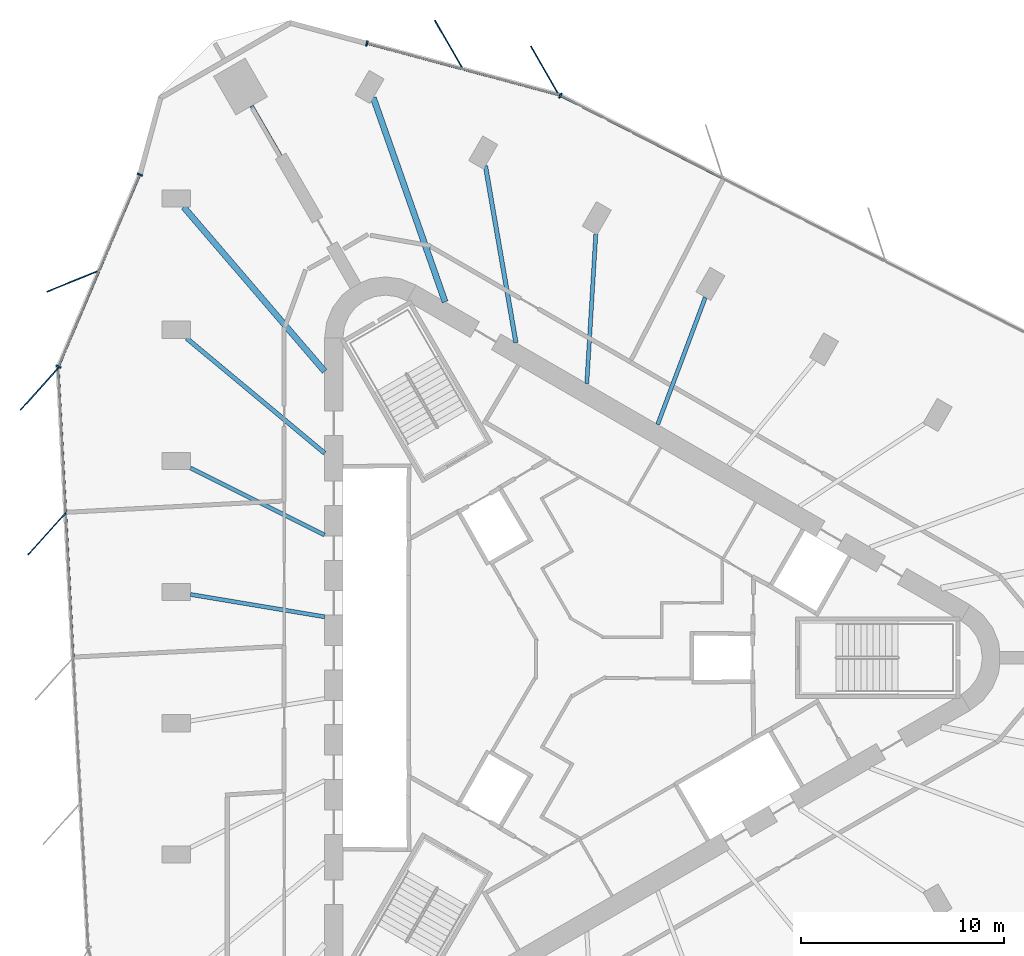
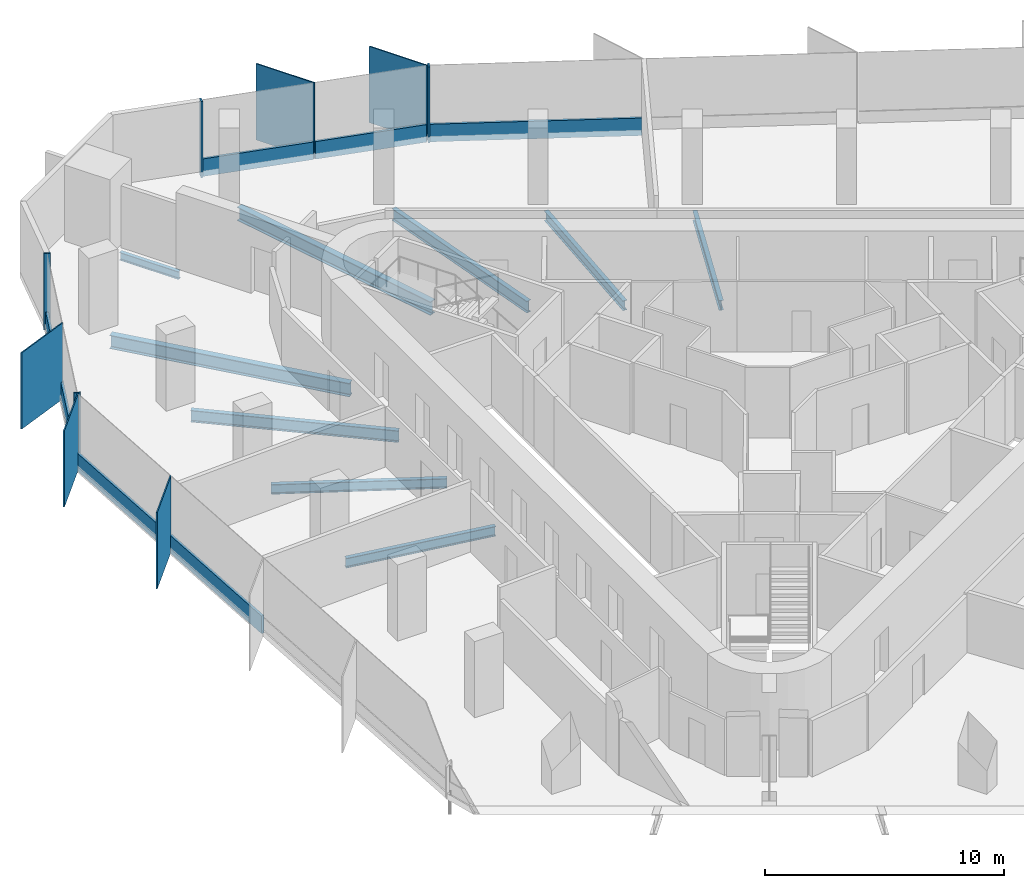
# One storey, part 4 of 12: 16 members, 9 beams, 4 elements without a shape of their own.
"""IFC4 building model written with IfcOpenShell, lengths in metres."""

from ifc_helpers import new_model, si_unit, direction, frame, origin, origin_2d, place, context, subcontext, project, spatial, rectangle, i_section, extrude, material, material_profile, profile_set, type_object, element, aggregate, save


model = new_model("IFC4")

# Units and contexts
model_context = context("Model", 3, precision=1e-05, world=origin(), true_north=direction((0.0, 1.0)))
body_context = subcontext(model_context, "Body", "Model", "MODEL_VIEW")
ifc_project = project(units=[si_unit("LENGTHUNIT", "METRE"), si_unit("AREAUNIT", "SQUARE_METRE"), si_unit("VOLUMEUNIT", "CUBIC_METRE"), si_unit("PLANEANGLEUNIT", "RADIAN"), si_unit("MASSUNIT", "GRAM", prefix="KILO")], contexts=[model_context])

# Site, building, storey
site_placement = place(None, origin())
site = spatial("IfcSite", under=ifc_project, at=site_placement, CompositionType="ELEMENT")
building_placement = place(site_placement, origin())
building = spatial("IfcBuilding", under=site, at=building_placement, Name="Tanit Gate Tower", CompositionType="ELEMENT")
storey_placement = place(building_placement, frame((0.0, 0.0, 365.0)))
storey = spatial("IfcBuildingStorey", under=building, at=storey_placement, Name="L83", CompositionType="ELEMENT", Elevation=365.0)

# Curtain wall, members
ifc_material_1 = material(Name="Aluminium bronze anodised and glass", Category="aluminium")
curtain_wall_type = type_object("IfcCurtainWallType", Name="Curtain wall typical high", PredefinedType="NOTDEFINED", material=ifc_material_1)
curtain_wall_1_placement = place(storey_placement, origin())
curtain_wall_1 = element("IfcCurtainWall", 1, at=curtain_wall_1_placement, inside=storey, type_object=curtain_wall_type, Name="Curtain wall L83 NE3", PredefinedType="NOTDEFINED")
ifc_material_2 = material(Name="Aluminium bronze anodised", Category="aluminium")
ifc_material_profile_1 = material_profile(ifc_material_2, rectangle(XDim=2.800048828125, YDim=0.055908203125, at=origin_2d()), Name="56x2800 bronze fin mullion")
ifc_profile_set_1 = profile_set([ifc_material_profile_1], Name="Aluminium bronze anodised")
member_type_1 = type_object("IfcMemberType", Name="FIN MULLION 56x2800 bronze", PredefinedType="MULLION", material=ifc_profile_set_1)
member_1_placement = place(storey_placement, frame((-1.247802734375, 28.92138671875, -0.300048828125), z_axis=(0.0, 0.0, 1.0), x_axis=(0.499728283218, -0.866182222718, 0.0)))
member_1 = element("IfcMember", 2, at=member_1_placement, type_object=member_type_1, Name="Fin mullion L83 NE3.1", PredefinedType="MULLION", context=body_context, shape_type="SweptSolid", body=[
    extrude(rectangle(XDim=2.800048828125, YDim=0.055908203125, at=origin_2d()), origin(), (0.0, 0.0, 1.0), 3.900146484375),
])
member_2_placement = place(storey_placement, frame((-5.977783203125, 30.1904296875, -0.300048828125), z_axis=(0.0, 0.0, 1.0), x_axis=(0.499728283218, -0.866182222718, 0.0)))
member_2 = element("IfcMember", 3, at=member_2_placement, type_object=member_type_1, Name="Fin mullion L83 NE3.2", PredefinedType="MULLION", context=body_context, shape_type="SweptSolid", body=[
    extrude(rectangle(XDim=2.800048828125, YDim=0.055908203125, at=origin_2d()), origin(), (0.0, 0.0, 1.0), 3.900146484375),
])

# Curtain wall, member
curtain_wall_2_placement = place(storey_placement, origin())
curtain_wall_2 = element("IfcCurtainWall", 4, at=curtain_wall_2_placement, inside=storey, type_object=curtain_wall_type, Name="Curtain wall L83 W1", PredefinedType="NOTDEFINED")
member_3_placement = place(storey_placement, frame((-24.489501953125, 18.553466796875, -0.300048828125), z_axis=(0.0, 0.0, 1.0), x_axis=(0.926847644188, 0.375437670544, 0.0)))
member_3 = element("IfcMember", 5, at=member_3_placement, type_object=member_type_1, Name="Fin mullion L83 W1.2", PredefinedType="MULLION", context=body_context, shape_type="SweptSolid", body=[
    extrude(rectangle(XDim=2.800048828125, YDim=0.055908203125, at=origin_2d()), origin(), (0.0, 0.0, 1.0), 3.900146484375),
])

# Curtain wall, members
curtain_wall_3_placement = place(storey_placement, origin())
curtain_wall_3 = element("IfcCurtainWall", 6, at=curtain_wall_3_placement, inside=storey, type_object=curtain_wall_type, Name="Curtain wall L83 W2", PredefinedType="NOTDEFINED")
member_4_placement = place(storey_placement, frame((-26.150634765625, 13.239990234375, -0.300048828125), z_axis=(0.0, 0.0, 1.0), x_axis=(0.66948111798, 0.742829073656, 0.0)))
member_4 = element("IfcMember", 7, at=member_4_placement, type_object=member_type_1, Name="Fin mullion L83 W2.1", PredefinedType="MULLION", context=body_context, shape_type="SweptSolid", body=[
    extrude(rectangle(XDim=2.800048828125, YDim=0.055908203125, at=origin_2d()), origin(), (0.0, 0.0, 1.0), 3.900146484375),
])
member_5_placement = place(storey_placement, frame((-25.780029296875, 6.106689453125, -0.300048828125), z_axis=(0.0, 0.0, 1.0), x_axis=(0.66948111798, 0.742829073656, 0.0)))
member_5 = element("IfcMember", 8, at=member_5_placement, type_object=member_type_1, Name="Fin mullion L83 W2.2", PredefinedType="MULLION", context=body_context, shape_type="SweptSolid", body=[
    extrude(rectangle(XDim=2.800048828125, YDim=0.055908203125, at=origin_2d()), origin(), (0.0, 0.0, 1.0), 3.900146484375),
])

# Curtain wall, member
curtain_wall_4_placement = place(storey_placement, origin())
curtain_wall_4 = element("IfcCurtainWall", 9, at=curtain_wall_4_placement, inside=storey, type_object=curtain_wall_type, Name="Curtain wall L83 NE2c", PredefinedType="NOTDEFINED")
ifc_material_3 = material(Name="Aluminium bronze anodised", Category="aluminium")
ifc_material_profile_2 = material_profile(ifc_material_3, rectangle(XDim=0.280029296875, YDim=0.080078125, at=origin_2d()), Name="80x280 bronze mullion")
ifc_profile_set_2 = profile_set([ifc_material_profile_2], Name="Aluminium bronze anodised")
member_type_2 = type_object("IfcMemberType", Name="Mullion 80x280 typical high", PredefinedType="MULLION", material=ifc_profile_set_2)
member_6_placement = place(storey_placement, frame((-0.48388671875, 27.697265625, -0.300048828125), z_axis=(0.0, 0.0, 1.0), x_axis=(-0.454410790552, -0.890792250432, 0.0)))
member_6 = element("IfcMember", 10, at=member_6_placement, type_object=member_type_2, Name="Mullion L83 NE2c.4", PredefinedType="MULLION", context=body_context, shape_type="SweptSolid", body=[
    extrude(rectangle(XDim=0.280029296875, YDim=0.080078125, at=origin_2d()), origin(), (0.0, 0.0, 1.0), 3.900146484375),
])

# Member
member_7_placement = place(storey_placement, frame((-10.01806640625, 30.263916015625, -0.300048828125), z_axis=(0.0, 0.0, 1.0), x_axis=(-0.259122065613, -0.965844581241, 0.0)))
member_7 = element("IfcMember", 11, at=member_7_placement, type_object=member_type_2, Name="Mullion L83 NE3.3", PredefinedType="MULLION", context=body_context, shape_type="SweptSolid", body=[
    extrude(rectangle(XDim=0.280029296875, YDim=0.080078125, at=origin_2d()), origin(), (0.0, 0.0, 1.0), 3.900146484375),
])

member_8_placement = place(storey_placement, frame((-21.207763671875, 23.801513671875, -0.300048828125), z_axis=(0.0, 0.0, 1.0), x_axis=(0.920854777087, -0.389905731577, 0.0)))
member_8 = element("IfcMember", 12, at=member_8_placement, type_object=member_type_2, Name="Mullion L83 W1.1", PredefinedType="MULLION", context=body_context, shape_type="SweptSolid", body=[
    extrude(rectangle(XDim=0.280029296875, YDim=0.080078125, at=origin_2d()), origin(), (0.0, 0.0, 1.0), 3.900146484375),
])

member_9_placement = place(storey_placement, frame((-25.212890625, 14.341796875, -0.300048828125), z_axis=(0.0, 0.0, 1.0), x_axis=(0.920854777087, -0.389905731577, 0.0)))
member_9 = element("IfcMember", 13, at=member_9_placement, type_object=member_type_2, Name="Mullion L83 W1.3", PredefinedType="MULLION", context=body_context, shape_type="SweptSolid", body=[
    extrude(rectangle(XDim=0.280029296875, YDim=0.080078125, at=origin_2d()), origin(), (0.0, 0.0, 1.0), 3.900146484375),
])

# Beams
ifc_material_4 = material(Name="Steel S355", Category="steel")
ifc_material_profile_3 = material_profile(ifc_material_4, i_section(OverallWidth=0.300048828125, OverallDepth=0.68994140625, WebThickness=0.014404296875, FlangeThickness=0.027099609375, FilletRadius=0.027099609375, at=origin_2d()), Name="HEA 700")
ifc_profile_set_3 = profile_set([ifc_material_profile_3], Name="Steel S355")
beam_type_1 = type_object("IfcBeamType", Name="RADIAL GIRDER HEA 700 S355", PredefinedType="BEAM", material=ifc_profile_set_3)
beam_1_placement = place(storey_placement, frame((-9.703857421875, 27.589599609375, -0.64501953125), z_axis=(0.331790708443, -0.943353022887, 0.0), x_axis=(0.943353022887, 0.331790708443, 0.0)))
element("IfcBeam", 14, at=beam_1_placement, inside=storey, type_object=beam_type_1, Name="RADIAL GIRDER", PredefinedType="BEAM", context=body_context, shape_type="SweptSolid", body=[
    extrude(i_section(OverallWidth=0.300048828125, OverallDepth=0.68994140625, WebThickness=0.014404296875, FlangeThickness=0.027099609375, FilletRadius=0.027099609375, at=origin_2d()), origin(), (0.0, 0.0, 1.0), 10.658447265625),
])
beam_2_placement = place(storey_placement, frame((-19.041259765625, 22.198486328125, -0.64501953125), z_axis=(0.651064859014, -0.759022100704, 0.0), x_axis=(0.759022100704, 0.651064859014, 0.0)))
element("IfcBeam", 15, at=beam_2_placement, inside=storey, type_object=beam_type_1, Name="RADIAL GIRDER", PredefinedType="BEAM", context=body_context, shape_type="SweptSolid", body=[
    extrude(i_section(OverallWidth=0.300048828125, OverallDepth=0.68994140625, WebThickness=0.014404296875, FlangeThickness=0.027099609375, FilletRadius=0.027099609375, at=origin_2d()), origin(), (0.0, 0.0, 1.0), 10.658203125),
])
ifc_material_5 = material(Name="Steel S355", Category="steel")
ifc_material_profile_4 = material_profile(ifc_material_5, i_section(OverallWidth=0.179931640625, OverallDepth=0.39990234375, WebThickness=0.008544921875, FlangeThickness=0.013427734375, FilletRadius=0.02099609375, at=origin_2d()), Name="IPE 400")
ifc_profile_set_4 = profile_set([ifc_material_profile_4], Name="Steel S355")
beam_type_2 = type_object("IfcBeamType", Name="RADIAL GIRDER IPE 400 S355", PredefinedType="BEAM", material=ifc_profile_set_4)
beam_3_placement = place(storey_placement, frame((-15.69580078125, 27.185791015625, -0.5), z_axis=(0.500068051468, -0.865986110686, 0.0), x_axis=(0.865986110686, 0.500068051468, 0.0)))
element("IfcBeam", 16, at=beam_3_placement, inside=storey, type_object=beam_type_2, Name="RADIAL GIRDER", PredefinedType="BEAM", context=body_context, shape_type="SweptSolid", body=[
    extrude(i_section(OverallWidth=0.179931640625, OverallDepth=0.39990234375, WebThickness=0.008544921875, FlangeThickness=0.013427734375, FilletRadius=0.02099609375, at=origin_2d()), origin(), (0.0, 0.0, 1.0), 2.853515625),
])
ifc_material_6 = material(Name="Steel S355", Category="steel")
ifc_material_profile_5 = material_profile(ifc_material_6, i_section(OverallWidth=0.199951171875, OverallDepth=0.5, WebThickness=0.01025390625, FlangeThickness=0.01611328125, FilletRadius=0.02099609375, at=origin_2d()), Name="IPE 500")
ifc_profile_set_5 = profile_set([ifc_material_profile_5], Name="Steel S355")
beam_type_3 = type_object("IfcBeamType", Name="RADIAL GIRDER IPE 500 S355", PredefinedType="BEAM", material=ifc_profile_set_5)
beam_4_placement = place(storey_placement, frame((6.655029296875, 17.75732421875, -0.550048828125), z_axis=(-0.350955589185, -0.93639210506, 0.0), x_axis=(0.93639210506, -0.350955589185, 0.0)))
element("IfcBeam", 17, at=beam_4_placement, inside=storey, type_object=beam_type_3, Name="RADIAL GIRDER", PredefinedType="BEAM", context=body_context, shape_type="SweptSolid", body=[
    extrude(i_section(OverallWidth=0.199951171875, OverallDepth=0.5, WebThickness=0.01025390625, FlangeThickness=0.01611328125, FilletRadius=0.02099609375, at=origin_2d()), origin(), (0.0, 0.0, 1.0), 6.69482421875),
])
beam_5_placement = place(storey_placement, frame((1.259033203125, 20.872802734375, -0.550048828125), z_axis=(-0.060222471201, -0.998184979832, 0.0), x_axis=(0.998184979832, -0.060222471201, 0.0)))
element("IfcBeam", 18, at=beam_5_placement, inside=storey, type_object=beam_type_3, Name="RADIAL GIRDER", PredefinedType="BEAM", context=body_context, shape_type="SweptSolid", body=[
    extrude(i_section(OverallWidth=0.199951171875, OverallDepth=0.5, WebThickness=0.01025390625, FlangeThickness=0.01611328125, FilletRadius=0.02099609375, at=origin_2d()), origin(), (0.0, 0.0, 1.0), 7.38232421875),
])
beam_6_placement = place(storey_placement, frame((-18.705810546875, 9.34619140625, -0.550048828125), z_axis=(0.894552827641, -0.44696223393, 0.0), x_axis=(0.44696223393, 0.894552827641, 0.0)))
element("IfcBeam", 19, at=beam_6_placement, inside=storey, type_object=beam_type_3, Name="RADIAL GIRDER", PredefinedType="BEAM", context=body_context, shape_type="SweptSolid", body=[
    extrude(i_section(OverallWidth=0.199951171875, OverallDepth=0.5, WebThickness=0.01025390625, FlangeThickness=0.01611328125, FilletRadius=0.02099609375, at=origin_2d()), origin(), (0.0, 0.0, 1.0), 7.382080078125),
])
beam_7_placement = place(storey_placement, frame((-18.705810546875, 3.115234375, -0.550048828125), z_axis=(0.986412644048, -0.164286626546, 0.0), x_axis=(0.164286626546, 0.986412644048, 0.0)))
element("IfcBeam", 20, at=beam_7_placement, inside=storey, type_object=beam_type_3, Name="RADIAL GIRDER", PredefinedType="BEAM", context=body_context, shape_type="SweptSolid", body=[
    extrude(i_section(OverallWidth=0.199951171875, OverallDepth=0.5, WebThickness=0.01025390625, FlangeThickness=0.01611328125, FilletRadius=0.02099609375, at=origin_2d()), origin(), (0.0, 0.0, 1.0), 6.69482421875),
])
ifc_material_7 = material(Name="Steel S355", Category="steel")
ifc_material_profile_6 = material_profile(ifc_material_7, i_section(OverallWidth=0.219970703125, OverallDepth=0.60009765625, WebThickness=0.011962890625, FlangeThickness=0.01904296875, FilletRadius=0.02392578125, at=origin_2d()), Name="IPE 600")
ifc_profile_set_6 = profile_set([ifc_material_profile_6], Name="Steel S355")
beam_type_4 = type_object("IfcBeamType", Name="RADIAL GIRDER IPE 600 S355", PredefinedType="BEAM", material=ifc_profile_set_6)
beam_8_placement = place(storey_placement, frame((-4.178955078125, 24.231201171875, -0.60009765625), z_axis=(0.169949456618, -0.985452780297, 0.0), x_axis=(0.985452780297, 0.169949456618, 0.0)))
element("IfcBeam", 21, at=beam_8_placement, inside=storey, type_object=beam_type_4, Name="RADIAL GIRDER", PredefinedType="BEAM", context=body_context, shape_type="SweptSolid", body=[
    extrude(i_section(OverallWidth=0.219970703125, OverallDepth=0.60009765625, WebThickness=0.011962890625, FlangeThickness=0.01904296875, FilletRadius=0.02392578125, at=origin_2d()), origin(), (0.0, 0.0, 1.0), 8.840576171875),
])
beam_9_placement = place(storey_placement, frame((-18.8955078125, 15.734619140625, -0.60009765625), z_axis=(0.768456646973, -0.639901853195, 0.0), x_axis=(0.639901853195, 0.768456646973, 0.0)))
element("IfcBeam", 22, at=beam_9_placement, inside=storey, type_object=beam_type_4, Name="RADIAL GIRDER", PredefinedType="BEAM", context=body_context, shape_type="SweptSolid", body=[
    extrude(i_section(OverallWidth=0.219970703125, OverallDepth=0.60009765625, WebThickness=0.011962890625, FlangeThickness=0.01904296875, FilletRadius=0.02392578125, at=origin_2d()), origin(), (0.0, 0.0, 1.0), 8.84033203125),
])

# Member
ifc_material_8 = material(Name="Aluminium bronze anodised", Category="aluminium")
ifc_material_profile_7 = material_profile(ifc_material_8, rectangle(XDim=0.1201171875, YDim=0.89990234375, at=origin_2d()), Name="120x900 bronze transom")
ifc_profile_set_7 = profile_set([ifc_material_profile_7], Name="Aluminium bronze anodised")
member_type_3 = type_object("IfcMemberType", Name="Transom 120x900 typical high", PredefinedType="USERDEFINED", material=ifc_profile_set_7)
member_10_placement = place(storey_placement, frame((7.490234375, 23.629638671875, 0.14990234375), z_axis=(-0.890792875458, 0.454409565298, 0.0), x_axis=(-0.454409565298, -0.890792875458, 0.0)))
member_10 = element("IfcMember", 23, at=member_10_placement, type_object=member_type_3, Name="Transom L83 NE2c.3", ObjectType="TRANSOM", PredefinedType="USERDEFINED", context=body_context, shape_type="SweptSolid", body=[
    extrude(rectangle(XDim=0.1201171875, YDim=0.89990234375, at=origin_2d()), origin(), (0.0, 0.0, 1.0), 8.91162109375),
])

aggregate(curtain_wall_4, [member_6, member_10])

member_11_placement = place(storey_placement, frame((-0.5966796875, 27.736328125, 0.14990234375), z_axis=(-0.965853664753, 0.259088205605, 0.0), x_axis=(-0.259088205605, -0.965853664753, 0.0)))
member_11 = element("IfcMember", 24, at=member_11_placement, type_object=member_type_3, Name="Transom L83 NE3.1", ObjectType="TRANSOM", PredefinedType="USERDEFINED", context=body_context, shape_type="SweptSolid", body=[
    extrude(rectangle(XDim=0.1201171875, YDim=0.89990234375, at=origin_2d()), origin(), (0.0, 0.0, 1.0), 4.817138671875),
])

member_12_placement = place(storey_placement, frame((-5.32666015625, 29.005126953125, 0.14990234375), z_axis=(-0.965840980944, 0.259135484891, 0.0), x_axis=(-0.259135484891, -0.965840980944, 0.0)))
member_12 = element("IfcMember", 25, at=member_12_placement, type_object=member_type_3, Name="Transom L83 NE3.2", ObjectType="TRANSOM", PredefinedType="USERDEFINED", context=body_context, shape_type="SweptSolid", body=[
    extrude(rectangle(XDim=0.1201171875, YDim=0.89990234375, at=origin_2d()), origin(), (0.0, 0.0, 1.0), 4.817138671875),
])

aggregate(curtain_wall_1, [member_1, member_2, member_7, member_11, member_12])

member_13_placement = place(storey_placement, frame((-21.223388671875, 23.7646484375, 0.14990234375), z_axis=(-0.389888845376, -0.920861926812, 0.0), x_axis=(0.920861926812, -0.389888845376, 0.0)))
member_13 = element("IfcMember", 26, at=member_13_placement, type_object=member_type_3, Name="Transom L83 W1.1", ObjectType="TRANSOM", PredefinedType="USERDEFINED", context=body_context, shape_type="SweptSolid", body=[
    extrude(rectangle(XDim=0.1201171875, YDim=0.89990234375, at=origin_2d()), origin(), (0.0, 0.0, 1.0), 5.056396484375),
])

member_14_placement = place(storey_placement, frame((-23.225830078125, 19.034912109375, 0.14990234375), z_axis=(-0.389929787941, -0.920844590838, 0.0), x_axis=(0.920844590838, -0.389929787941, 0.0)))
member_14 = element("IfcMember", 27, at=member_14_placement, type_object=member_type_3, Name="Transom L83 W1.2", ObjectType="TRANSOM", PredefinedType="USERDEFINED", context=body_context, shape_type="SweptSolid", body=[
    extrude(rectangle(XDim=0.1201171875, YDim=0.89990234375, at=origin_2d()), origin(), (0.0, 0.0, 1.0), 5.056396484375),
])

aggregate(curtain_wall_2, [member_8, member_3, member_9, member_13, member_14])

member_15_placement = place(storey_placement, frame((-25.224365234375, 14.22509765625, 0.14990234375), z_axis=(0.051851236753, -0.998654819869, 0.0), x_axis=(0.998654819869, 0.051851236753, 0.0)))
member_15 = element("IfcMember", 28, at=member_15_placement, type_object=member_type_3, Name="Transom L83 W2.1", ObjectType="TRANSOM", PredefinedType="USERDEFINED", context=body_context, shape_type="SweptSolid", body=[
    extrude(rectangle(XDim=0.1201171875, YDim=0.89990234375, at=origin_2d()), origin(), (0.0, 0.0, 1.0), 7.062744140625),
])

member_16_placement = place(storey_placement, frame((-24.85400390625, 7.092041015625, 0.14990234375), z_axis=(0.051851236753, -0.998654819869, 0.0), x_axis=(0.998654819869, 0.051851236753, 0.0)))
member_16 = element("IfcMember", 29, at=member_16_placement, type_object=member_type_3, Name="Transom L83 W2.2", ObjectType="TRANSOM", PredefinedType="USERDEFINED", context=body_context, shape_type="SweptSolid", body=[
    extrude(rectangle(XDim=0.1201171875, YDim=0.89990234375, at=origin_2d()), origin(), (0.0, 0.0, 1.0), 7.062744140625),
])

aggregate(curtain_wall_3, [member_4, member_5, member_15, member_16])

save(model, "model.ifc")
